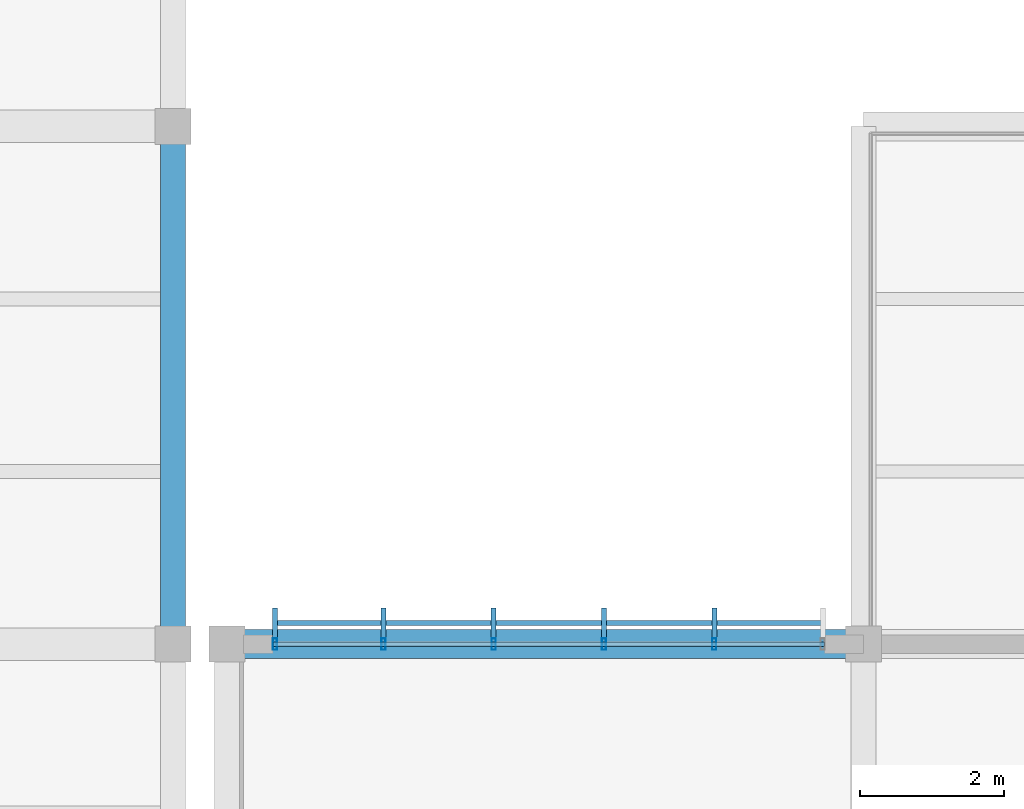
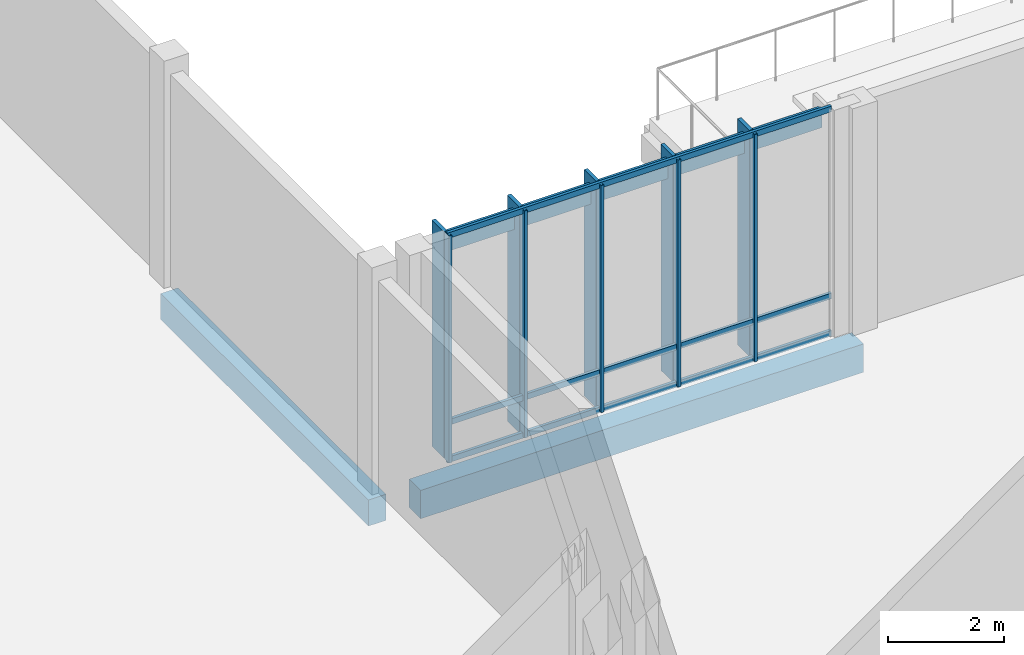
# One storey, part 40 of 177: 14 members, 2 beams, 1 element without a shape of its own.
"""IFC4 building model written with IfcOpenShell, lengths in metres."""

from ifc_helpers import new_model, si_unit, direction, frame, origin, origin_2d, place, context, subcontext, project, spatial, rectangle, hollow_rectangle, extrude, material, material_profile, profile_set, type_object, element, aggregate, save


model = new_model("IFC4")

# Units and contexts
model_context = context("Model", 3, precision=1e-05, world=origin(), true_north=direction((0.0, 1.0)))
body_context = subcontext(model_context, "Body", "Model", "MODEL_VIEW")
ifc_project = project(units=[si_unit("LENGTHUNIT", "METRE"), si_unit("AREAUNIT", "SQUARE_METRE"), si_unit("VOLUMEUNIT", "CUBIC_METRE"), si_unit("PLANEANGLEUNIT", "RADIAN"), si_unit("MASSUNIT", "GRAM", prefix="KILO")], contexts=[model_context])

# Site, building, storey
site_placement = place(None, origin())
site = spatial("IfcSite", under=ifc_project, at=site_placement, CompositionType="ELEMENT")
building_placement = place(site_placement, origin())
building = spatial("IfcBuilding", under=site, at=building_placement, Name="Chiffa Square Polytechnic", CompositionType="ELEMENT")
storey_placement = place(building_placement, frame((0.0, 0.0, 4.800048828125)))
storey = spatial("IfcBuildingStorey", under=building, at=storey_placement, Name="L01", CompositionType="ELEMENT", Elevation=4.800048828125)

# Beams
ifc_material_1 = material(Name="Concrete C35/45", Category="concrete")
ifc_material_profile_1 = material_profile(ifc_material_1, rectangle(XDim=0.35009765625, YDim=0.550048828125, at=origin_2d()), Name="RC 350x550")
ifc_profile_set_1 = profile_set([ifc_material_profile_1], Name="Concrete C35/45")
beam_type_1 = type_object("IfcBeamType", Name="BM-RC-350X550", PredefinedType="BEAM", material=ifc_profile_set_1)
beam_1_placement = place(storey_placement, frame((48.0, 43.800048828125, -0.554931640625), z_axis=(0.0, 1.0, 0.0), x_axis=(-1.0, 0.0, 0.0)))
element("IfcBeam", 1, at=beam_1_placement, inside=storey, type_object=beam_type_1, Name="Primary floor girder BM-V6-L01-Y-0480-0438", PredefinedType="BEAM", context=body_context, shape_type="SweptSolid", body=[
    extrude(rectangle(XDim=0.35009765625, YDim=0.550048828125, at=origin_2d()), origin(), (0.0, 0.0, 1.0), 7.199951171875),
])
ifc_material_profile_2 = material_profile(ifc_material_1, rectangle(XDim=0.39990234375, YDim=0.60009765625, at=origin_2d()), Name="RC 400x600")
ifc_profile_set_2 = profile_set([ifc_material_profile_2], Name="Concrete C35/45")
beam_type_2 = type_object("IfcBeamType", Name="BM-RC-400X600", PredefinedType="BEAM", material=ifc_profile_set_2)
beam_2_placement = place(storey_placement, frame((48.75, 43.800048828125, -0.580078125), z_axis=(1.0, 0.0, 0.0), x_axis=(0.0, 1.0, 0.0)))
element("IfcBeam", 2, at=beam_2_placement, inside=storey, type_object=beam_type_2, Name="Primary floor girder BM-V4-L01-X-0488-0438", PredefinedType="BEAM", context=body_context, shape_type="SweptSolid", body=[
    extrude(rectangle(XDim=0.39990234375, YDim=0.60009765625, at=origin_2d()), origin(), (0.0, 0.0, 1.0), 8.85009765625),
])

# Curtain wall, members
ifc_material_2 = material(Name="Aluminium EN AW-6060 T66 and glulam shading", Category="wood")
curtain_wall_type = type_object("IfcCurtainWallType", Name="CW-VERT-300X380", PredefinedType="USERDEFINED", material=ifc_material_2)
curtain_wall_placement = place(storey_placement, origin())
curtain_wall = element("IfcCurtainWall", 3, at=curtain_wall_placement, inside=storey, type_object=curtain_wall_type, Name="Curtain wall CW-V4-L01-187", ObjectType="CURTAIN WALL", PredefinedType="USERDEFINED")
ifc_material_3 = material(Name="Aluminium EN AW-6060 T66", Category="aluminium")
ifc_material_profile_3 = material_profile(ifc_material_3, hollow_rectangle(XDim=0.06005859375, YDim=0.159912109375, WallThickness=0.00390625, at=origin_2d()), Name="ALU 60x160x4")
ifc_profile_set_3 = profile_set([ifc_material_profile_3], Name="Aluminium EN AW-6060 T66")
member_type_1 = type_object("IfcMemberType", Name="CWM-ALU-65X150", PredefinedType="MULLION", material=ifc_profile_set_3)
member_1_placement = place(storey_placement, frame((55.52587890625, 43.800048828125, 0.0), z_axis=(0.0, 0.0, 1.0), x_axis=(1.0, 0.0, 0.0)))
member_1 = element("IfcMember", 4, at=member_1_placement, type_object=member_type_1, Name="Curtain wall mullion CW-V4-L01-187-M01", PredefinedType="MULLION", context=body_context, shape_type="SweptSolid", body=[
    extrude(hollow_rectangle(XDim=0.06005859375, YDim=0.159912109375, WallThickness=0.00390625, at=origin_2d()), origin(), (0.0, 0.0, 1.0), 4.800048828125),
])
member_2_placement = place(storey_placement, frame((53.991943359375, 43.800048828125, 0.0), z_axis=(0.0, 0.0, 1.0), x_axis=(1.0, 0.0, 0.0)))
member_2 = element("IfcMember", 5, at=member_2_placement, type_object=member_type_1, Name="Curtain wall mullion CW-V4-L01-187-M02", PredefinedType="MULLION", context=body_context, shape_type="SweptSolid", body=[
    extrude(hollow_rectangle(XDim=0.06005859375, YDim=0.159912109375, WallThickness=0.00390625, at=origin_2d()), origin(), (0.0, 0.0, 1.0), 4.800048828125),
])
member_3_placement = place(storey_placement, frame((52.4580078125, 43.800048828125, 0.0), z_axis=(0.0, 0.0, 1.0), x_axis=(1.0, 0.0, 0.0)))
member_3 = element("IfcMember", 6, at=member_3_placement, type_object=member_type_1, Name="Curtain wall mullion CW-V4-L01-187-M03", PredefinedType="MULLION", context=body_context, shape_type="SweptSolid", body=[
    extrude(hollow_rectangle(XDim=0.06005859375, YDim=0.159912109375, WallThickness=0.00390625, at=origin_2d()), origin(), (0.0, 0.0, 1.0), 4.800048828125),
])
member_4_placement = place(storey_placement, frame((50.924072265625, 43.800048828125, 0.0), z_axis=(0.0, 0.0, 1.0), x_axis=(1.0, 0.0, 0.0)))
member_4 = element("IfcMember", 7, at=member_4_placement, type_object=member_type_1, Name="Curtain wall mullion CW-V4-L01-187-M04", PredefinedType="MULLION", context=body_context, shape_type="SweptSolid", body=[
    extrude(hollow_rectangle(XDim=0.06005859375, YDim=0.159912109375, WallThickness=0.00390625, at=origin_2d()), origin(), (0.0, 0.0, 1.0), 4.800048828125),
])
member_5_placement = place(storey_placement, frame((49.4150390625, 43.800048828125, 0.0), z_axis=(0.0, 0.0, 1.0), x_axis=(1.0, 0.0, 0.0)))
member_5 = element("IfcMember", 8, at=member_5_placement, type_object=member_type_1, Name="Curtain wall mullion CW-V4-L01-187-M05", PredefinedType="MULLION", context=body_context, shape_type="SweptSolid", body=[
    extrude(hollow_rectangle(XDim=0.06005859375, YDim=0.159912109375, WallThickness=0.00390625, at=origin_2d()), origin(), (0.0, 0.0, 1.0), 4.800048828125),
])
ifc_material_4 = material(Name="Glulam GL28h", Category="wood")
ifc_material_profile_4 = material_profile(ifc_material_4, rectangle(XDim=0.070068359375, YDim=0.419921875, at=origin_2d()), Name="GL28h 70x420")
ifc_profile_set_4 = profile_set([ifc_material_profile_4], Name="Glulam GL28h")
member_type_2 = type_object("IfcMemberType", Name="CWM-GL-70X420", PredefinedType="MULLION", material=ifc_profile_set_4)
member_6_placement = place(storey_placement, frame((55.52587890625, 44.092041015625, 0.010009765625), z_axis=(0.0, 0.0, 1.0), x_axis=(-1.0, 0.0, 0.0)))
member_6 = element("IfcMember", 9, at=member_6_placement, type_object=member_type_2, Name="Exterior glulam solar fin CW-V4-L01-187-FN01", PredefinedType="MULLION", context=body_context, shape_type="SweptSolid", body=[
    extrude(rectangle(XDim=0.070068359375, YDim=0.419921875, at=origin_2d()), origin(), (0.0, 0.0, 1.0), 4.780029296875),
])
member_7_placement = place(storey_placement, frame((53.991943359375, 44.092041015625, 0.010009765625), z_axis=(0.0, 0.0, 1.0), x_axis=(-1.0, 0.0, 0.0)))
member_7 = element("IfcMember", 10, at=member_7_placement, type_object=member_type_2, Name="Exterior glulam solar fin CW-V4-L01-187-FN02", PredefinedType="MULLION", context=body_context, shape_type="SweptSolid", body=[
    extrude(rectangle(XDim=0.070068359375, YDim=0.419921875, at=origin_2d()), origin(), (0.0, 0.0, 1.0), 4.780029296875),
])
member_8_placement = place(storey_placement, frame((52.4580078125, 44.092041015625, 0.010009765625), z_axis=(0.0, 0.0, 1.0), x_axis=(-1.0, 0.0, 0.0)))
member_8 = element("IfcMember", 11, at=member_8_placement, type_object=member_type_2, Name="Exterior glulam solar fin CW-V4-L01-187-FN03", PredefinedType="MULLION", context=body_context, shape_type="SweptSolid", body=[
    extrude(rectangle(XDim=0.070068359375, YDim=0.419921875, at=origin_2d()), origin(), (0.0, 0.0, 1.0), 4.780029296875),
])
member_9_placement = place(storey_placement, frame((50.924072265625, 44.092041015625, 0.010009765625), z_axis=(0.0, 0.0, 1.0), x_axis=(-1.0, 0.0, 0.0)))
member_9 = element("IfcMember", 12, at=member_9_placement, type_object=member_type_2, Name="Exterior glulam solar fin CW-V4-L01-187-FN04", PredefinedType="MULLION", context=body_context, shape_type="SweptSolid", body=[
    extrude(rectangle(XDim=0.070068359375, YDim=0.419921875, at=origin_2d()), origin(), (0.0, 0.0, 1.0), 4.780029296875),
])
member_10_placement = place(storey_placement, frame((49.4150390625, 44.092041015625, 0.010009765625), z_axis=(0.0, 0.0, 1.0), x_axis=(-1.0, 0.0, 0.0)))
member_10 = element("IfcMember", 13, at=member_10_placement, type_object=member_type_2, Name="Exterior glulam solar fin CW-V4-L01-187-FN05", PredefinedType="MULLION", context=body_context, shape_type="SweptSolid", body=[
    extrude(rectangle(XDim=0.070068359375, YDim=0.419921875, at=origin_2d()), origin(), (0.0, 0.0, 1.0), 4.780029296875),
])
ifc_material_profile_5 = material_profile(ifc_material_3, hollow_rectangle(XDim=0.06005859375, YDim=0.1201171875, WallThickness=0.00390625, at=origin_2d()), Name="ALU 60x120x4")
ifc_profile_set_5 = profile_set([ifc_material_profile_5], Name="Aluminium EN AW-6060 T66")
member_type_3 = type_object("IfcMemberType", Name="CWT-ALU-65X120", PredefinedType="USERDEFINED", material=ifc_profile_set_5)
member_11_placement = place(storey_placement, frame((57.06201171875, 43.800048828125, 0.030029296875), z_axis=(-1.0, 0.0, 0.0), x_axis=(0.0, -1.0, 0.0)))
member_11 = element("IfcMember", 14, at=member_11_placement, type_object=member_type_3, Name="Curtain wall transom CW-V4-L01-187-T01", ObjectType="TRANSOM", PredefinedType="USERDEFINED", context=body_context, shape_type="SweptSolid", body=[
    extrude(hollow_rectangle(XDim=0.06005859375, YDim=0.1201171875, WallThickness=0.00390625, at=origin_2d()), origin(), (0.0, 0.0, 1.0), 7.674072265625),
])
member_12_placement = place(storey_placement, frame((57.06201171875, 43.800048828125, 0.820068359375), z_axis=(-1.0, 0.0, 0.0), x_axis=(0.0, -1.0, 0.0)))
member_12 = element("IfcMember", 15, at=member_12_placement, type_object=member_type_3, Name="Curtain wall transom CW-V4-L01-187-T02", ObjectType="TRANSOM", PredefinedType="USERDEFINED", context=body_context, shape_type="SweptSolid", body=[
    extrude(hollow_rectangle(XDim=0.06005859375, YDim=0.1201171875, WallThickness=0.00390625, at=origin_2d()), origin(), (0.0, 0.0, 1.0), 7.674072265625),
])
member_13_placement = place(storey_placement, frame((57.06201171875, 43.800048828125, 4.77001953125), z_axis=(-1.0, 0.0, 0.0), x_axis=(0.0, -1.0, 0.0)))
member_13 = element("IfcMember", 16, at=member_13_placement, type_object=member_type_3, Name="Curtain wall transom CW-V4-L01-187-T03", ObjectType="TRANSOM", PredefinedType="USERDEFINED", context=body_context, shape_type="SweptSolid", body=[
    extrude(hollow_rectangle(XDim=0.06005859375, YDim=0.1201171875, WallThickness=0.00390625, at=origin_2d()), origin(), (0.0, 0.0, 1.0), 7.674072265625),
])
ifc_material_profile_6 = material_profile(ifc_material_4, rectangle(XDim=0.070068359375, YDim=0.419921875, at=origin_2d()), Name="GL28h 70x420")
ifc_profile_set_6 = profile_set([ifc_material_profile_6], Name="Glulam GL28h")
member_type_4 = type_object("IfcMemberType", Name="CWT-GL-70X420", PredefinedType="USERDEFINED", material=ifc_profile_set_6)
member_14_placement = place(storey_placement, frame((57.034912109375, 44.092041015625, 4.419921875), z_axis=(-1.0, 0.0, 0.0), x_axis=(0.0, -1.0, 0.0)))
member_14 = element("IfcMember", 17, at=member_14_placement, type_object=member_type_4, Name="Exterior glulam brise-soleil CW-V4-L01-187-BS01", ObjectType="TRANSOM", PredefinedType="USERDEFINED", context=body_context, shape_type="SweptSolid", body=[
    extrude(rectangle(XDim=0.070068359375, YDim=0.419921875, at=origin_2d()), origin(), (0.0, 0.0, 1.0), 7.619873046875),
])
aggregate(curtain_wall, [member_1, member_6, member_2, member_7, member_3, member_8, member_4, member_9, member_5, member_10, member_11, member_12, member_13, member_14])

save(model, "model.ifc")
